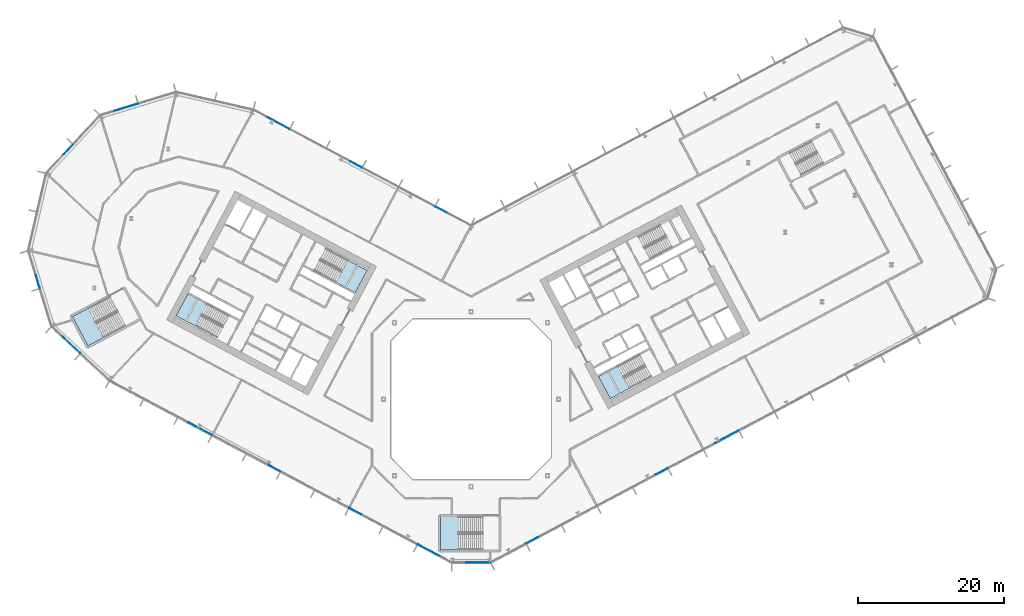
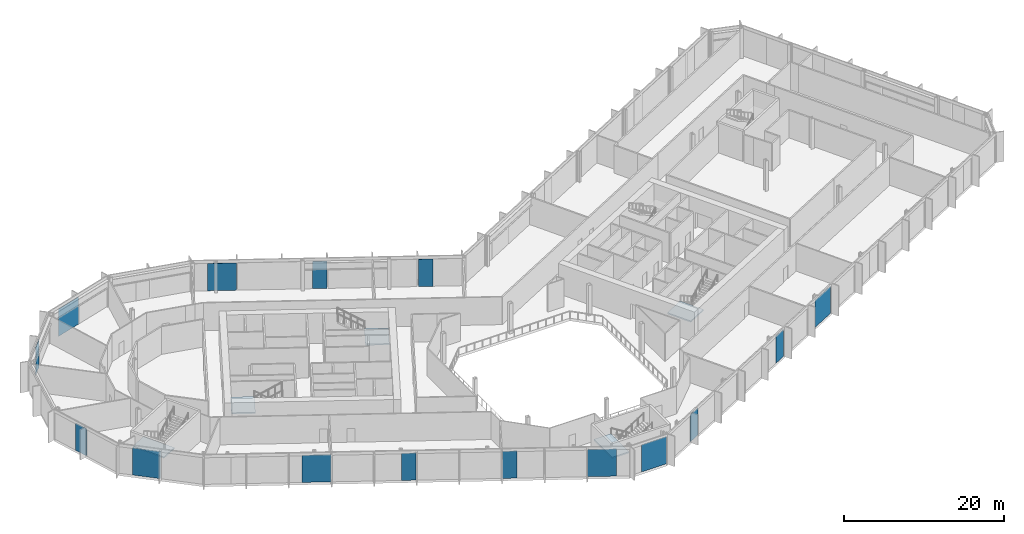
# One storey, part 10 of 30: 15 plates, 5 slabs, 13 elements without a shape of their own.
"""IFC4 building model written with IfcOpenShell, lengths in metres."""

from ifc_helpers import new_model, si_unit, direction, frame, origin, origin_2d, place, context, subcontext, project, spatial, polyline, rectangle, outline, extrude, material, layer, layer_set, type_object, element, aggregate, save


model = new_model("IFC4")

# Units and contexts
model_context = context("Model", 3, precision=1e-05, world=origin(), true_north=direction((0.0, 1.0)))
body_context = subcontext(model_context, "Body", "Model", "MODEL_VIEW")
ifc_project = project(units=[si_unit("LENGTHUNIT", "METRE"), si_unit("AREAUNIT", "SQUARE_METRE"), si_unit("VOLUMEUNIT", "CUBIC_METRE"), si_unit("PLANEANGLEUNIT", "RADIAN"), si_unit("MASSUNIT", "GRAM", prefix="KILO")], contexts=[model_context])

# Site, building, storey
site_placement = place(None, origin())
site = spatial("IfcSite", under=ifc_project, at=site_placement, CompositionType="ELEMENT")
building_placement = place(site_placement, origin())
building = spatial("IfcBuilding", under=site, at=building_placement, Name="Cormorant Relay Tower", CompositionType="ELEMENT")
storey_placement = place(building_placement, frame((0.0, 0.0, 80.0)))
storey = spatial("IfcBuildingStorey", under=building, at=storey_placement, Name="L15", CompositionType="ELEMENT", Elevation=80.0)

# Curtain wall, plates
ifc_material_1 = material(Name="Aluminium 6063-T6 anodised bronze", Category="aluminium")
ifc_layer_1 = layer(ifc_material_1, 0.199951171875)
ifc_layer_set_1 = layer_set([ifc_layer_1], Name="CW1 unitised bronze curtain wall with vertical fins")
curtain_wall_type = type_object("IfcCurtainWallType", Name="CW1 unitised bronze curtain wall with vertical fins", PredefinedType="NOTDEFINED", material=ifc_layer_set_1)
curtain_wall_1_placement = place(storey_placement, origin())
curtain_wall_1 = element("IfcCurtainWall", 1, at=curtain_wall_1_placement, inside=storey, type_object=curtain_wall_type, Name="CW1 curtain wall 2", PredefinedType="NOTDEFINED")
ifc_material_2 = material(Name="Tinted laminated glass", Category="glass")
ifc_layer_2 = layer(ifc_material_2, 0.0400390625)
ifc_layer_set_2 = layer_set([ifc_layer_2], Name="CW1 tinted vision panel 1800 module")
plate_type_1 = type_object("IfcPlateType", Name="CW1 tinted vision panel 1800 module", PredefinedType="CURTAIN_PANEL", material=ifc_layer_set_2)
plate_1_placement = place(storey_placement, frame((8.3857421875, -19.347900390625, 0.0), z_axis=(0.0, 0.0, 1.0), x_axis=(0.882947592859, 0.469471562786, 0.0)))
plate_1 = element("IfcPlate", 2, at=plate_1_placement, type_object=plate_type_1, Name="CW1 panel V01", PredefinedType="CURTAIN_PANEL", context=body_context, shape_type="SweptSolid", body=[
    extrude(rectangle(XDim=1.800048828125, YDim=0.0400390625, at=origin_2d()), origin(), (0.0, 0.0, 1.0), 4.14990234375),
])
plate_2_placement = place(storey_placement, frame((26.130615234375, -9.91259765625, 0.0), z_axis=(0.0, 0.0, 1.0), x_axis=(0.882947592859, 0.469471562786, 0.0)))
plate_2 = element("IfcPlate", 3, at=plate_2_placement, type_object=plate_type_1, Name="CW1 panel V04", PredefinedType="CURTAIN_PANEL", context=body_context, shape_type="SweptSolid", body=[
    extrude(rectangle(XDim=1.800048828125, YDim=0.0400390625, at=origin_2d()), origin(), (0.0, 0.0, 1.0), 4.14990234375),
])

curtain_wall_2_placement = place(storey_placement, origin())
curtain_wall_2 = element("IfcCurtainWall", 4, at=curtain_wall_2_placement, inside=storey, type_object=curtain_wall_type, Name="CW1 curtain wall 7", PredefinedType="NOTDEFINED")
plate_3_placement = place(storey_placement, frame((-4.108642578125, 25.9912109375, 0.0), z_axis=(0.0, 0.0, 1.0), x_axis=(-0.882947592859, 0.469471562786, 0.0)))
plate_3 = element("IfcPlate", 5, at=plate_3_placement, type_object=plate_type_1, Name="CW1 panel V01", PredefinedType="CURTAIN_PANEL", context=body_context, shape_type="SweptSolid", body=[
    extrude(rectangle(XDim=1.800048828125, YDim=0.0400390625, at=origin_2d()), origin(), (0.0, 0.0, 1.0), 4.14990234375),
])
plate_4_placement = place(storey_placement, frame((-15.788330078125, 32.201416015625, 0.0), z_axis=(0.0, 0.0, 1.0), x_axis=(-0.882947592859, 0.469471562786, 0.0)))
plate_4 = element("IfcPlate", 6, at=plate_4_placement, type_object=plate_type_1, Name="CW1 panel V04", PredefinedType="CURTAIN_PANEL", context=body_context, shape_type="SweptSolid", body=[
    extrude(rectangle(XDim=1.800048828125, YDim=0.0400390625, at=origin_2d()), origin(), (0.0, 0.0, 1.0), 4.14990234375),
])

# Curtain wall, plate
curtain_wall_3_placement = place(storey_placement, origin())
curtain_wall_3 = element("IfcCurtainWall", 7, at=curtain_wall_3_placement, inside=storey, type_object=curtain_wall_type, Name="CW1 curtain wall 10", PredefinedType="NOTDEFINED")
plate_5_placement = place(storey_placement, frame((-55.247314453125, 34.2607421875, 0.0), z_axis=(0.0, 0.0, 1.0), x_axis=(-0.681998360062, -0.731353701619, 0.0)))
plate_5 = element("IfcPlate", 8, at=plate_5_placement, type_object=plate_type_1, Name="CW1 panel V01", PredefinedType="CURTAIN_PANEL", context=body_context, shape_type="SweptSolid", body=[
    extrude(rectangle(XDim=1.800048828125, YDim=0.0400390625, at=origin_2d()), origin(), (0.0, 0.0, 1.0), 4.14990234375),
])
aggregate(curtain_wall_3, [plate_5])

curtain_wall_4_placement = place(storey_placement, origin())
curtain_wall_4 = element("IfcCurtainWall", 9, at=curtain_wall_4_placement, inside=storey, type_object=curtain_wall_type, Name="CW1 curtain wall 12", PredefinedType="NOTDEFINED")
plate_6_placement = place(storey_placement, frame((-59.434814453125, 16.122314453125, 0.0), z_axis=(0.0, 0.0, 1.0), x_axis=(0.292371704723, -0.956304755963, 0.0)))
plate_6 = element("IfcPlate", 10, at=plate_6_placement, type_object=plate_type_1, Name="CW1 panel V01", PredefinedType="CURTAIN_PANEL", context=body_context, shape_type="SweptSolid", body=[
    extrude(rectangle(XDim=1.800048828125, YDim=0.0400390625, at=origin_2d()), origin(), (0.0, 0.0, 1.0), 4.14990234375),
])
aggregate(curtain_wall_4, [plate_6])

# Curtain wall, plates
curtain_wall_5_placement = place(storey_placement, origin())
curtain_wall_5 = element("IfcCurtainWall", 11, at=curtain_wall_5_placement, inside=storey, type_object=curtain_wall_type, Name="CW1 curtain wall 14", PredefinedType="NOTDEFINED")
plate_7_placement = place(storey_placement, frame((-26.990478515625, -9.45556640625, 0.0), z_axis=(0.0, 0.0, 1.0), x_axis=(0.882947592859, -0.469471562786, 0.0)))
plate_7 = element("IfcPlate", 12, at=plate_7_placement, type_object=plate_type_1, Name="CW1 panel V05", PredefinedType="CURTAIN_PANEL", context=body_context, shape_type="SweptSolid", body=[
    extrude(rectangle(XDim=1.800048828125, YDim=0.0400390625, at=origin_2d()), origin(), (0.0, 0.0, 1.0), 4.14990234375),
])
plate_8_placement = place(storey_placement, frame((-15.880126953125, -15.363037109375, 0.0), z_axis=(0.0, 0.0, 1.0), x_axis=(0.882947592859, -0.469471562786, 0.0)))
plate_8 = element("IfcPlate", 13, at=plate_8_placement, type_object=plate_type_1, Name="CW1 panel V07", PredefinedType="CURTAIN_PANEL", context=body_context, shape_type="SweptSolid", body=[
    extrude(rectangle(XDim=1.800048828125, YDim=0.0400390625, at=origin_2d()), origin(), (0.0, 0.0, 1.0), 4.14990234375),
])

# Curtain wall, plate
curtain_wall_6_placement = place(storey_placement, origin())
curtain_wall_6 = element("IfcCurtainWall", 14, at=curtain_wall_6_placement, inside=storey, type_object=curtain_wall_type, Name="CW1 curtain wall 1", PredefinedType="NOTDEFINED")
ifc_material_3 = material(Name="Tinted laminated glass", Category="glass")
ifc_layer_3 = layer(ifc_material_3, 0.0400390625)
ifc_layer_set_3 = layer_set([ifc_layer_3], Name="CW1 tinted vision panel 3600 module")
plate_type_2 = type_object("IfcPlateType", Name="CW1 tinted vision panel 3600 module", PredefinedType="CURTAIN_PANEL", material=ifc_layer_set_3)
plate_9_placement = place(storey_placement, frame((0.848876953125, -22.3955078125, 0.0), z_axis=(0.0, 0.0, 1.0), x_axis=(1.0, 0.0, 0.0)))
plate_9 = element("IfcPlate", 15, at=plate_9_placement, type_object=plate_type_2, Name="CW1 panel V01", PredefinedType="CURTAIN_PANEL", context=body_context, shape_type="SweptSolid", body=[
    extrude(rectangle(XDim=3.60009765625, YDim=0.0400390625, at=origin_2d()), origin(), (0.0, 0.0, 1.0), 4.14990234375),
])
aggregate(curtain_wall_6, [plate_9])

# Plate
plate_10_placement = place(storey_placement, frame((35.0693359375, -5.159912109375, 0.0), z_axis=(0.0, 0.0, 1.0), x_axis=(0.882947592859, 0.469471562786, 0.0)))
plate_10 = element("IfcPlate", 16, at=plate_10_placement, type_object=plate_type_2, Name="CW1 panel V06", PredefinedType="CURTAIN_PANEL", context=body_context, shape_type="SweptSolid", body=[
    extrude(rectangle(XDim=3.60009765625, YDim=0.0400390625, at=origin_2d()), origin(), (0.0, 0.0, 1.0), 4.14990234375),
])

aggregate(curtain_wall_1, [plate_1, plate_2, plate_10])

plate_11_placement = place(storey_placement, frame((-26.541015625, 37.918701171875, 0.0), z_axis=(0.0, 0.0, 1.0), x_axis=(-0.882947592859, 0.469471562786, 0.0)))
plate_11 = element("IfcPlate", 17, at=plate_11_placement, type_object=plate_type_2, Name="CW1 panel V06", PredefinedType="CURTAIN_PANEL", context=body_context, shape_type="SweptSolid", body=[
    extrude(rectangle(XDim=3.60009765625, YDim=0.0400390625, at=origin_2d()), origin(), (0.0, 0.0, 1.0), 4.14990234375),
])

aggregate(curtain_wall_2, [plate_3, plate_4, plate_11])

# Curtain wall, plate
curtain_wall_7_placement = place(storey_placement, origin())
curtain_wall_7 = element("IfcCurtainWall", 18, at=curtain_wall_7_placement, inside=storey, type_object=curtain_wall_type, Name="CW1 curtain wall 9", PredefinedType="NOTDEFINED")
plate_12_placement = place(storey_placement, frame((-47.462158203125, 39.995361328125, 0.0), z_axis=(0.0, 0.0, 1.0), x_axis=(-0.956304755963, -0.292371704723, 0.0)))
plate_12 = element("IfcPlate", 19, at=plate_12_placement, type_object=plate_type_2, Name="CW1 panel V01", PredefinedType="CURTAIN_PANEL", context=body_context, shape_type="SweptSolid", body=[
    extrude(rectangle(XDim=3.60009765625, YDim=0.0400390625, at=origin_2d()), origin(), (0.0, 0.0, 1.0), 4.14990234375),
])
aggregate(curtain_wall_7, [plate_12])

curtain_wall_8_placement = place(storey_placement, origin())
curtain_wall_8 = element("IfcCurtainWall", 20, at=curtain_wall_8_placement, inside=storey, type_object=curtain_wall_type, Name="CW1 curtain wall 13", PredefinedType="NOTDEFINED")
plate_13_placement = place(storey_placement, frame((-54.951416015625, 7.55517578125, 0.0), z_axis=(0.0, 0.0, 1.0), x_axis=(0.731353701619, -0.681998360062, 0.0)))
plate_13 = element("IfcPlate", 21, at=plate_13_placement, type_object=plate_type_2, Name="CW1 panel V01", PredefinedType="CURTAIN_PANEL", context=body_context, shape_type="SweptSolid", body=[
    extrude(rectangle(XDim=3.60009765625, YDim=0.0400390625, at=origin_2d()), origin(), (0.0, 0.0, 1.0), 4.14990234375),
])
aggregate(curtain_wall_8, [plate_13])

# Plate
plate_14_placement = place(storey_placement, frame((-37.173583984375, -4.041015625, 0.0), z_axis=(0.0, 0.0, 1.0), x_axis=(0.882947592859, -0.469471562786, 0.0)))
plate_14 = element("IfcPlate", 22, at=plate_14_placement, type_object=plate_type_2, Name="CW1 panel V03", PredefinedType="CURTAIN_PANEL", context=body_context, shape_type="SweptSolid", body=[
    extrude(rectangle(XDim=3.60009765625, YDim=0.0400390625, at=origin_2d()), origin(), (0.0, 0.0, 1.0), 4.14990234375),
])

plate_15_placement = place(storey_placement, frame((-5.697021484375, -20.777587890625, 0.0), z_axis=(0.0, 0.0, 1.0), x_axis=(0.882947592859, -0.469471562786, 0.0)))
plate_15 = element("IfcPlate", 23, at=plate_15_placement, type_object=plate_type_2, Name="CW1 panel V09", PredefinedType="CURTAIN_PANEL", context=body_context, shape_type="SweptSolid", body=[
    extrude(rectangle(XDim=3.60009765625, YDim=0.0400390625, at=origin_2d()), origin(), (0.0, 0.0, 1.0), 4.14990234375),
])

aggregate(curtain_wall_5, [plate_14, plate_7, plate_8, plate_15])

# Stair, slab
ifc_material_4 = material(Name="Concrete 40 MPa", Category="concrete")
stair_type_1 = type_object("IfcStairType", Name="Exit stair 1500", PredefinedType="HALF_TURN_STAIR", material=ifc_material_4)
stair_1_placement = place(storey_placement, origin())
stair_1 = element("IfcStair", 24, at=stair_1_placement, inside=storey, type_object=stair_type_1, Name="L15 Stair", PredefinedType="HALF_TURN_STAIR")
ifc_material_5 = material(Name="Concrete 40 MPa", Category="concrete")
ifc_layer_4 = layer(ifc_material_5, 0.199951171875)
ifc_layer_set_4 = layer_set([ifc_layer_4], Name="Exit stair landing 200")
slab_type = type_object("IfcSlabType", Name="Exit stair landing 200", PredefinedType="LANDING", material=ifc_layer_set_4)
slab_1_placement = place(storey_placement, frame((0.0, 0.0, 2.10009765625)))
slab_1 = element("IfcSlab", 25, at=slab_1_placement, type_object=slab_type, Name="A1 landing 1", PredefinedType="LANDING", context=body_context, shape_type="SweptSolid", body=[
    extrude(outline(polyline([(-18.534912109375, 16.02783203125), (-15.89501953125, 14.6240234375), (-14.275390625, 17.670166015625), (-16.915283203125, 19.073974609375), (-18.534912109375, 16.02783203125)])), origin(), (0.0, 0.0, 1.0), 0.199951171875),
])
aggregate(stair_1, [slab_1])

stair_2_placement = place(storey_placement, origin())
stair_2 = element("IfcStair", 26, at=stair_2_placement, inside=storey, type_object=stair_type_1, Name="L15 Stair", PredefinedType="HALF_TURN_STAIR")
slab_2_placement = place(storey_placement, frame((0.0, 0.0, 2.10009765625)))
slab_2 = element("IfcSlab", 27, at=slab_2_placement, type_object=slab_type, Name="A2 landing 1", PredefinedType="LANDING", context=body_context, shape_type="SweptSolid", body=[
    extrude(outline(polyline([(-36.207763671875, 13.07958984375), (-38.84765625, 14.483154296875), (-40.467529296875, 11.43701171875), (-37.827392578125, 10.033447265625), (-36.207763671875, 13.07958984375)])), origin(), (0.0, 0.0, 1.0), 0.199951171875),
])
aggregate(stair_2, [slab_2])

stair_3_placement = place(storey_placement, origin())
stair_3 = element("IfcStair", 28, at=stair_3_placement, inside=storey, type_object=stair_type_1, Name="L15 Stair", PredefinedType="HALF_TURN_STAIR")
slab_3_placement = place(storey_placement, frame((0.0, 0.0, 2.10009765625)))
slab_3 = element("IfcSlab", 29, at=slab_3_placement, type_object=slab_type, Name="B1 landing 1", PredefinedType="LANDING", context=body_context, shape_type="SweptSolid", body=[
    extrude(outline(polyline([(20.120361328125, 4.525634765625), (17.48046875, 3.1220703125), (19.10009765625, 0.075927734375), (21.740234375, 1.4794921875), (20.120361328125, 4.525634765625)])), origin(), (0.0, 0.0, 1.0), 0.199951171875),
])
aggregate(stair_3, [slab_3])

ifc_material_6 = material(Name="Concrete 40 MPa", Category="concrete")
stair_type_2 = type_object("IfcStairType", Name="Remote exit stair 2200", PredefinedType="HALF_TURN_STAIR", material=ifc_material_6)
stair_4_placement = place(storey_placement, origin())
stair_4 = element("IfcStair", 30, at=stair_4_placement, inside=storey, type_object=stair_type_2, Name="L15 Stair", PredefinedType="HALF_TURN_STAIR")
slab_4_placement = place(storey_placement, frame((0.0, 0.0, 2.10009765625)))
slab_4 = element("IfcSlab", 31, at=slab_4_placement, type_object=slab_type, Name="RK1 landing 1", PredefinedType="LANDING", context=body_context, shape_type="SweptSolid", body=[
    extrude(outline(polyline([(-1.760009765625, -16.125), (-4.199951171875, -16.125), (-4.199951171875, -20.675048828125), (-1.760009765625, -20.675048828125), (-1.760009765625, -16.125)])), origin(), (0.0, 0.0, 1.0), 0.199951171875),
])
aggregate(stair_4, [slab_4])

stair_5_placement = place(storey_placement, origin())
stair_5 = element("IfcStair", 32, at=stair_5_placement, inside=storey, type_object=stair_type_2, Name="L15 Stair", PredefinedType="HALF_TURN_STAIR")
slab_5_placement = place(storey_placement, frame((0.0, 0.0, 2.10009765625)))
slab_5 = element("IfcSlab", 33, at=slab_5_placement, type_object=slab_type, Name="RP1 landing 1", PredefinedType="LANDING", context=body_context, shape_type="SweptSolid", body=[
    extrude(outline(polyline([(-52.54541015625, 12.476318359375), (-54.699951171875, 11.330810546875), (-52.563720703125, 7.3134765625), (-50.409423828125, 8.458984375), (-52.54541015625, 12.476318359375)])), origin(), (0.0, 0.0, 1.0), 0.199951171875),
])
aggregate(stair_5, [slab_5])

save(model, "model.ifc")
